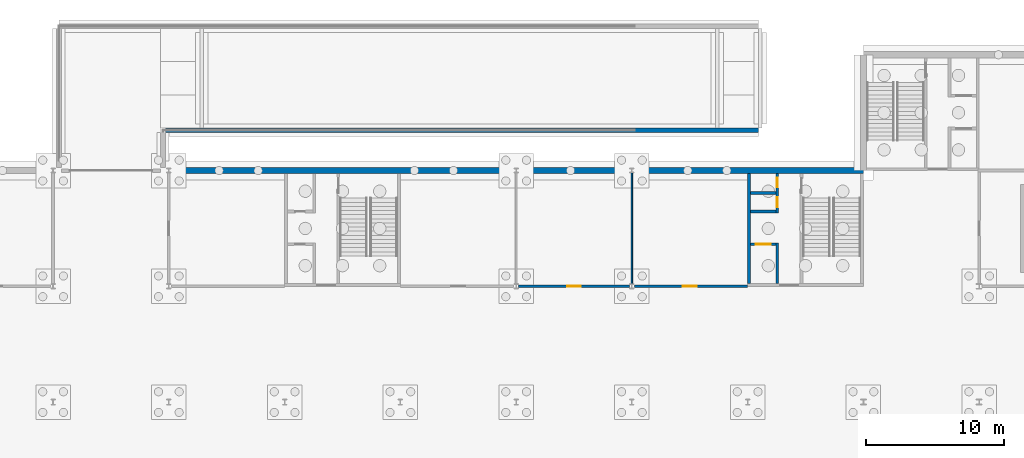
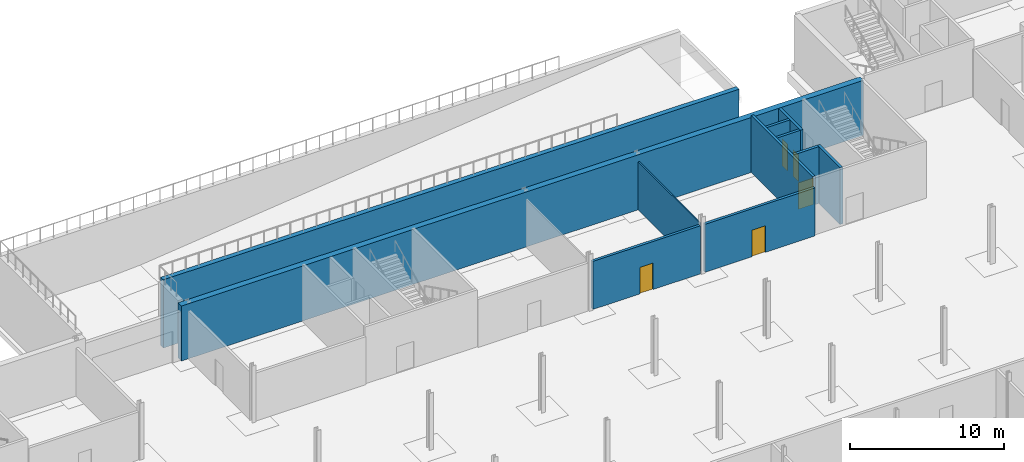
# One storey, part 28 of 35: 11 walls, 5 doors, 5 openings.
"""IFC4 building model written with IfcOpenShell, lengths in metres."""

from ifc_helpers import new_model, si_unit, direction, frame, frame_2d, origin, place, context, subcontext, project, spatial, polyline, rectangle, outline, extrude, material, layer, layer_set, type_object, element, fill, save


model = new_model("IFC4")

# Units and contexts
model_context = context("Model", 3, precision=1e-05, world=origin(), true_north=direction((0.0, 1.0)))
body_context = subcontext(model_context, "Body", "Model", "MODEL_VIEW")
ifc_project = project(units=[si_unit("LENGTHUNIT", "METRE"), si_unit("AREAUNIT", "SQUARE_METRE"), si_unit("VOLUMEUNIT", "CUBIC_METRE"), si_unit("PLANEANGLEUNIT", "RADIAN"), si_unit("MASSUNIT", "GRAM", prefix="KILO")], contexts=[model_context])

# Site, building, storey
site_placement = place(None, origin())
site = spatial("IfcSite", under=ifc_project, at=site_placement, CompositionType="ELEMENT")
building_placement = place(site_placement, origin())
building = spatial("IfcBuilding", under=site, at=building_placement, Name="Ardhachandra Cancer Care Centre", CompositionType="ELEMENT")
storey_placement = place(building_placement, frame((0.0, 0.0, -4.5)))
storey = spatial("IfcBuildingStorey", under=building, at=storey_placement, Name="B1", CompositionType="ELEMENT", Elevation=-4.5)

# Wall, opening, door
ifc_material_1 = material(Name="Gypsum board corridor partition on steel studs", Category="steel")
ifc_layer_1 = layer(ifc_material_1, 0.199951171875)
ifc_layer_set_1 = layer_set([ifc_layer_1], Name="Gypsum board corridor partition on steel studs")
wall_type_1 = type_object("IfcWallType", Name="CORRIDOR WALL 200", PredefinedType="PARTITIONING", material=ifc_layer_set_1)
wall_1_placement = place(storey_placement, frame((86.580078125, 88.199951171875, 0.0), z_axis=(0.0, 0.0, 1.0), x_axis=(1.0, 0.0, 0.0)))
wall_1 = element("IfcWall", 1, at=wall_1_placement, inside=storey, type_object=wall_type_1, Name="R/wall/B1/h0088200_0086580", PredefinedType="PARTITIONING", context=body_context, shape_type="SweptSolid", body=[
    extrude(rectangle(XDim=8.0400390625, YDim=0.199951171875, at=frame_2d((4.02001953125, 0.0))), origin(), (0.0, 0.0, 1.0), 3.800048828125),
])
opening_1_placement = place(wall_1_placement, frame((3.52001953125, 0.0, 0.0)))
opening_1 = element("IfcOpeningElement", 2, at=opening_1_placement, cuts=wall_1, Name="Opening B1-0014", PredefinedType="OPENING", context=body_context, shape_type="SweptSolid", body=[
    extrude(rectangle(XDim=1.0, YDim=2.10009765625, at=frame_2d((0.5, 1.050048828125))), frame((0.0, 0.10986328125, 0.0), z_axis=(0.0, -1.0, 0.0), x_axis=(1.0, 0.0, 0.0)), (0.0, 0.0, 1.0), 0.219970703125),
])
ifc_material_2 = material(Name="Timber fire door with smoke seals", Category="wood")
door_type_1 = type_object("IfcDoorType", Name="FIRE DOOR SINGLE 1000x2100 FD30S", OperationType="NOTDEFINED", PredefinedType="DOOR", material=ifc_material_2)
door_1_placement = place(opening_1_placement, origin())
door_1 = element("IfcDoor", 3, at=door_1_placement, inside=storey, type_object=door_type_1, Name="Door B1-0014", OperationType="SINGLE_SWING_LEFT", OverallHeight=2.10009765625, OverallWidth=1.0, PredefinedType="DOOR", context=body_context, shape_type="SweptSolid", body=[
    extrude(rectangle(XDim=1.0, YDim=2.10009765625, at=frame_2d((0.5, 1.050048828125))), frame((0.0, 0.02490234375, 0.0), z_axis=(0.0, -1.0, 0.0), x_axis=(1.0, 0.0, 0.0)), (0.0, 0.0, 1.0), 0.050048828125),
])
fill(opening_1, door_1)

wall_2_placement = place(storey_placement, frame((94.97998046875, 88.199951171875, 0.0), z_axis=(0.0, 0.0, 1.0), x_axis=(1.0, 0.0, 0.0)))
wall_2 = element("IfcWall", 4, at=wall_2_placement, inside=storey, type_object=wall_type_1, Name="R/wall/B1/h0088200_0094980", PredefinedType="PARTITIONING", context=body_context, shape_type="SweptSolid", body=[
    extrude(rectangle(XDim=8.219970703125, YDim=0.199951171875, at=frame_2d((4.10986328125, 0.0))), origin(), (0.0, 0.0, 1.0), 3.800048828125),
])
opening_2_placement = place(wall_2_placement, frame((3.52001953125, 0.0, 0.0)))
opening_2 = element("IfcOpeningElement", 5, at=opening_2_placement, cuts=wall_2, Name="Opening B1-0015", PredefinedType="OPENING", context=body_context, shape_type="SweptSolid", body=[
    extrude(rectangle(XDim=1.0, YDim=2.10009765625, at=frame_2d((0.5, 1.050048828125))), frame((0.0, 0.10986328125, 0.0), z_axis=(0.0, -1.0, 0.0), x_axis=(1.0, 0.0, 0.0)), (0.0, 0.0, 1.0), 0.219970703125),
])
door_2_placement = place(opening_2_placement, origin())
door_2 = element("IfcDoor", 6, at=door_2_placement, inside=storey, type_object=door_type_1, Name="Door B1-0015", OperationType="SINGLE_SWING_LEFT", OverallHeight=2.10009765625, OverallWidth=1.0, PredefinedType="DOOR", context=body_context, shape_type="SweptSolid", body=[
    extrude(rectangle(XDim=1.0, YDim=2.10009765625, at=frame_2d((0.5, 1.050048828125))), frame((0.0, 0.02490234375, 0.0), z_axis=(0.0, -1.0, 0.0), x_axis=(1.0, 0.0, 0.0)), (0.0, 0.0, 1.0), 0.050048828125),
])
fill(opening_2, door_2)

# Walls
ifc_material_3 = material(Name="Concrete M40", Category="concrete")
ifc_layer_2 = layer(ifc_material_3, 0.199951171875)
ifc_layer_set_2 = layer_set([ifc_layer_2], Name="Concrete M40")
wall_type_2 = type_object("IfcWallType", Name="Core wall RC 200", PredefinedType="SOLIDWALL", material=ifc_layer_set_2)
wall_3_placement = place(storey_placement, frame((103.300048828125, 88.39990234375, 0.0), z_axis=(0.0, 0.0, 1.0), x_axis=(0.0, 1.0, 0.0)))
element("IfcWall", 7, at=wall_3_placement, inside=storey, type_object=wall_type_2, Name="Core wall K7 UE", PredefinedType="SOLIDWALL", context=body_context, shape_type="SweptSolid", body=[
    extrude(rectangle(XDim=7.97509765625, YDim=0.199951171875, at=frame_2d((3.987548828125, 0.0))), origin(), (0.0, 0.0, 1.0), 4.5),
])
wall_4_placement = place(storey_placement, frame((105.35009765625, 88.39990234375, 0.0), z_axis=(0.0, 0.0, 1.0), x_axis=(0.0, 1.0, 0.0)))
element("IfcWall", 8, at=wall_4_placement, inside=storey, type_object=wall_type_2, Name="Core wall K7 P2A", PredefinedType="SOLIDWALL", context=body_context, shape_type="SweptSolid", body=[
    extrude(rectangle(XDim=2.9501953125, YDim=0.199951171875, at=frame_2d((1.47509765625, 0.0))), origin(), (0.0, 0.0, 1.0), 4.5),
])

# Wall, openings, doors
wall_5_placement = place(storey_placement, frame((105.35009765625, 93.52490234375, 0.0), z_axis=(0.0, 0.0, 1.0), x_axis=(0.0, 1.0, 0.0)))
wall_5 = element("IfcWall", 9, at=wall_5_placement, inside=storey, type_object=wall_type_2, Name="Core wall K7 P2B", PredefinedType="SOLIDWALL", context=body_context, shape_type="SweptSolid", body=[
    extrude(rectangle(XDim=2.85009765625, YDim=0.199951171875, at=frame_2d((1.425048828125, 0.0))), origin(), (0.0, 0.0, 1.0), 4.35009765625),
])
opening_3_placement = place(wall_5_placement, frame((0.425048828125, 0.0, 0.0)))
opening_3 = element("IfcOpeningElement", 10, at=opening_3_placement, cuts=wall_5, Name="Opening B1-K07-4", PredefinedType="OPENING", context=body_context, shape_type="SweptSolid", body=[
    extrude(rectangle(XDim=0.699951171875, YDim=2.10009765625, at=frame_2d((0.35009765625, 1.050048828125))), frame((0.0, 0.10986328125, 0.0), z_axis=(0.0, -1.0, 0.0), x_axis=(1.0, 0.0, 0.0)), (0.0, 0.0, 1.0), 0.219970703125),
])
opening_4_placement = place(wall_5_placement, frame((1.85009765625, 0.0, 0.0)))
opening_4 = element("IfcOpeningElement", 11, at=opening_4_placement, cuts=wall_5, Name="Opening B1-K07-5", PredefinedType="OPENING", context=body_context, shape_type="SweptSolid", body=[
    extrude(rectangle(XDim=0.699951171875, YDim=2.10009765625, at=frame_2d((0.35009765625, 1.050048828125))), frame((0.0, 0.10986328125, 0.0), z_axis=(0.0, -1.0, 0.0), x_axis=(1.0, 0.0, 0.0)), (0.0, 0.0, 1.0), 0.219970703125),
])
ifc_material_4 = material(Name="Steel door set", Category="steel")
door_type_2 = type_object("IfcDoorType", Name="Riser access door 700x2100 FD120S", OperationType="NOTDEFINED", PredefinedType="DOOR", material=ifc_material_4)
door_3_placement = place(opening_3_placement, origin())
door_3 = element("IfcDoor", 12, at=door_3_placement, inside=storey, type_object=door_type_2, Name="Riser access door", OperationType="SINGLE_SWING_RIGHT", OverallHeight=2.10009765625, OverallWidth=0.699951171875, PredefinedType="DOOR", context=body_context, shape_type="SweptSolid", body=[
    extrude(rectangle(XDim=0.699951171875, YDim=2.10009765625, at=frame_2d((0.35009765625, 1.050048828125))), frame((0.0, 0.02490234375, 0.0), z_axis=(0.0, -1.0, 0.0), x_axis=(1.0, 0.0, 0.0)), (0.0, 0.0, 1.0), 0.050048828125),
])
fill(opening_3, door_3)
door_4_placement = place(opening_4_placement, origin())
door_4 = element("IfcDoor", 13, at=door_4_placement, inside=storey, type_object=door_type_2, Name="Riser access door", OperationType="SINGLE_SWING_LEFT", OverallHeight=2.10009765625, OverallWidth=0.699951171875, PredefinedType="DOOR", context=body_context, shape_type="SweptSolid", body=[
    extrude(rectangle(XDim=0.699951171875, YDim=2.10009765625, at=frame_2d((0.35009765625, 1.050048828125))), frame((0.0, 0.02490234375, 0.0), z_axis=(0.0, -1.0, 0.0), x_axis=(1.0, 0.0, 0.0)), (0.0, 0.0, 1.0), 0.050048828125),
])
fill(opening_4, door_4)

# Wall, opening, door
wall_6_placement = place(storey_placement, frame((105.25, 91.25, 0.0), z_axis=(0.0, 0.0, 1.0), x_axis=(-1.0, 0.0, 0.0)))
wall_6 = element("IfcWall", 14, at=wall_6_placement, inside=storey, type_object=wall_type_2, Name="Core wall K7 W1", PredefinedType="SOLIDWALL", context=body_context, shape_type="SweptSolid", body=[
    extrude(rectangle(XDim=1.85009765625, YDim=0.199951171875, at=frame_2d((0.925048828125, 0.0))), origin(), (0.0, 0.0, 1.0), 4.5),
])
opening_5_placement = place(wall_6_placement, frame((0.375, 0.0, 0.0)))
opening_5 = element("IfcOpeningElement", 15, at=opening_5_placement, cuts=wall_6, Name="Opening B1-K07-3", PredefinedType="OPENING", context=body_context, shape_type="SweptSolid", body=[
    extrude(rectangle(XDim=1.10009765625, YDim=2.10009765625, at=frame_2d((0.550048828125, 1.050048828125))), frame((0.0, 0.10986328125, 0.0), z_axis=(0.0, -1.0, 0.0), x_axis=(1.0, 0.0, 0.0)), (0.0, 0.0, 1.0), 0.219970703125),
])
ifc_material_5 = material(Name="Stainless steel (grade 304)", Category="steel")
door_type_3 = type_object("IfcDoorType", Name="Lift landing door 1100x2100", OperationType="DOUBLE_DOOR_SLIDING", PredefinedType="DOOR", material=ifc_material_5)
door_5_placement = place(opening_5_placement, origin())
door_5 = element("IfcDoor", 16, at=door_5_placement, inside=storey, type_object=door_type_3, Name="Lift landing door LF-K7-1", OperationType="DOUBLE_DOOR_SLIDING", OverallHeight=2.10009765625, OverallWidth=1.10009765625, PredefinedType="DOOR", context=body_context, shape_type="SweptSolid", body=[
    extrude(rectangle(XDim=1.10009765625, YDim=2.10009765625, at=frame_2d((0.550048828125, 1.050048828125))), frame((0.0, 0.02490234375, 0.0), z_axis=(0.0, -1.0, 0.0), x_axis=(1.0, 0.0, 0.0)), (0.0, 0.0, 1.0), 0.050048828125),
])
fill(opening_5, door_5)

# Walls
for number, where, z_axis, x_axis, name in (
    (17, (105.25, 93.625, 0.0), (0.0, 0.0, 1.0), (-1.0, 0.0, 0.0), "Core wall K7 W2"),
    (18, (105.25, 94.97509765625, 0.0), (0.0, 0.0, 1.0), (-1.0, 0.0, 0.0), "Core wall K7 DIV"),
):
    element("IfcWall", number, at=place(storey_placement, frame(where, z_axis=z_axis, x_axis=x_axis)), inside=storey, type_object=wall_type_2, Name=name, PredefinedType="SOLIDWALL", context=body_context, shape_type="SweptSolid", body=[
        extrude(rectangle(XDim=1.85009765625, YDim=0.199951171875, at=frame_2d((0.925048828125, 0.0))), origin(), (0.0, 0.0, 1.0), 4.35009765625),
    ])
ifc_material_6 = material(Name="Concrete M40", Category="concrete")
ifc_layer_3 = layer(ifc_material_6, 0.35009765625)
ifc_layer_set_3 = layer_set([ifc_layer_3], Name="Concrete M40")
wall_type_3 = type_object("IfcWallType", Name="Ramp retaining wall RC 350", PredefinedType="SOLIDWALL", material=ifc_layer_set_3)
wall_7_placement = place(storey_placement, frame((104.0, 99.52490234375, -0.89990234375), z_axis=(0.0, 0.0, 1.0), x_axis=(-1.0, 0.0, 0.0)))
element("IfcWall", 19, at=wall_7_placement, inside=storey, type_object=wall_type_3, Name="Ramp retaining wall south", PredefinedType="SOLIDWALL", context=body_context, shape_type="SweptSolid", body=[
    extrude(outline(polyline([(0.0, 0.0), (43.050048828125, 0.0), (43.050048828125, 5.39990234375), (0.0, 5.39990234375), (0.0, 0.0)])), frame((0.0, 0.175048828125, 0.0), z_axis=(0.0, -1.0, 0.0), x_axis=(1.0, 0.0, 0.0)), (0.0, 0.0, 1.0), 0.35009765625),
])
ifc_material_7 = material(Name="Concrete M40", Category="concrete")
ifc_layer_4 = layer(ifc_material_7, 0.449951171875)
ifc_layer_set_4 = layer_set([ifc_layer_4], Name="Concrete M40")
wall_type_4 = type_object("IfcWallType", Name="Retaining wall 450", PredefinedType="SOLIDWALL", material=ifc_layer_set_4)
wall_8_placement = place(storey_placement, frame((111.60009765625, 96.60009765625, 0.0), z_axis=(0.0, 0.0, 1.0), x_axis=(-1.0, 0.0, 0.0)))
element("IfcWall", 20, at=wall_8_placement, inside=storey, type_object=wall_type_4, Name="Basement retaining wall 07", PredefinedType="SOLIDWALL", context=body_context, shape_type="SweptSolid", body=[
    extrude(rectangle(XDim=51.0, YDim=0.449951171875, at=frame_2d((25.5, 0.0))), origin(), (0.0, 0.0, 1.0), 4.35009765625),
])
ifc_material_8 = material(Name="Concrete block masonry", Category="masonry")
ifc_layer_5 = layer(ifc_material_8, 0.10009765625)
ifc_layer_set_5 = layer_set([ifc_layer_5], Name="Concrete block masonry")
wall_type_5 = type_object("IfcWallType", Name="STORE PARTITION 100", PredefinedType="SOLIDWALL", material=ifc_layer_set_5)
wall_9_placement = place(storey_placement, frame((94.800048828125, 88.3798828125, 0.0), z_axis=(0.0, 0.0, 1.0), x_axis=(0.0, 1.0, 0.0)))
element("IfcWall", 21, at=wall_9_placement, inside=storey, type_object=wall_type_5, Name="R/wall/B1/v0094800_0088380", PredefinedType="SOLIDWALL", context=body_context, shape_type="SweptSolid", body=[
    extrude(rectangle(XDim=8.070068359375, YDim=0.10009765625, at=frame_2d((4.03515625, 0.0))), origin(), (0.0, 0.0, 1.0), 3.800048828125),
])

save(model, "model.ifc")
